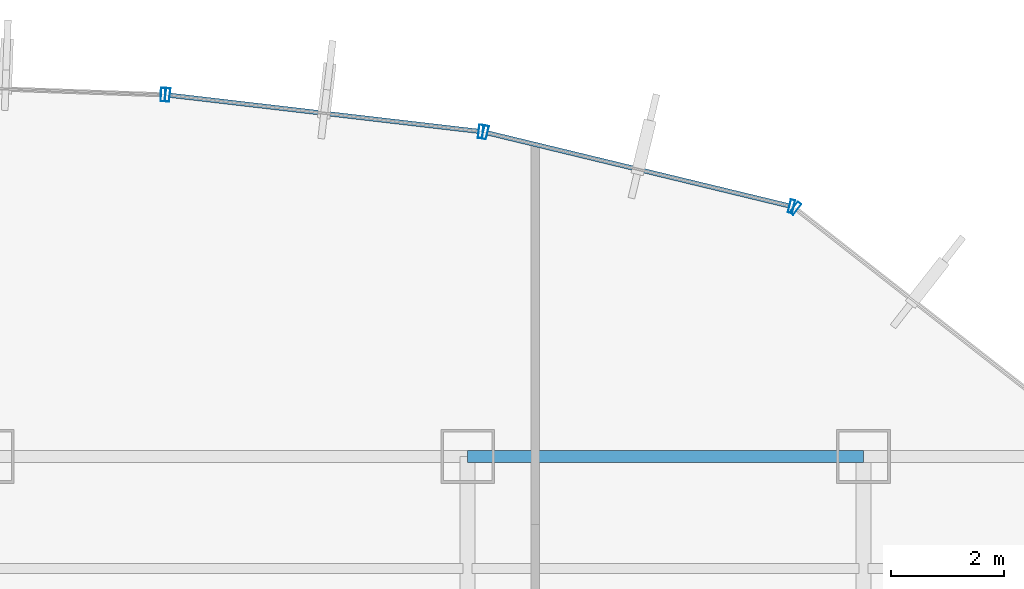
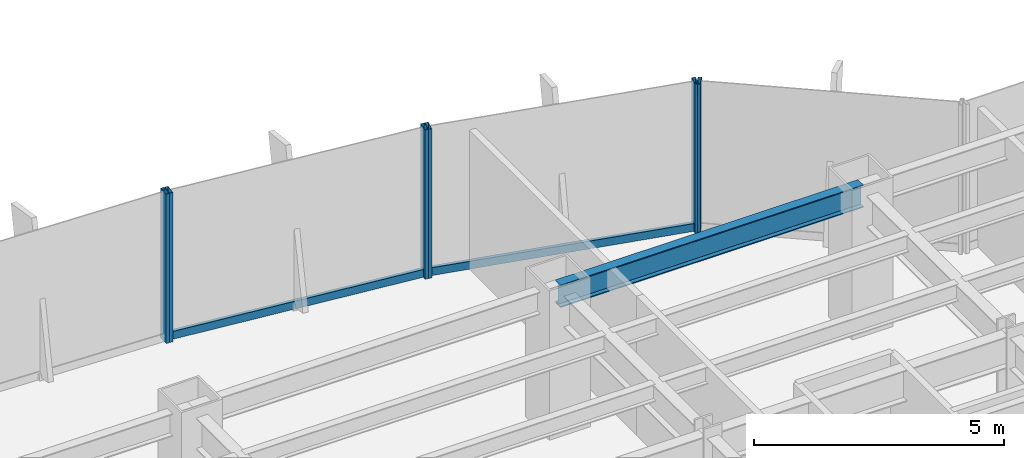
# One storey, part 14 of 22: 8 members, 1 beam, 4 elements without a shape of their own.
"""IFC4 building model written with IfcOpenShell, lengths in metres."""

from ifc_helpers import new_model, si_unit, derived_unit, direction, frame, origin, origin_2d, place, context, subcontext, project, spatial, hollow_rectangle, i_section, extrude, source, transform, mapped, material, material_profile, profile_set, type_object, element, aggregate, save


model = new_model("IFC4")

# Units and contexts
model_context = context("Model", 3, precision=1e-05, world=origin(), true_north=direction((0.0, 1.0)))
body_context = subcontext(model_context, "Body", "Model", "MODEL_VIEW")
ifc_project = project(units=[si_unit("LENGTHUNIT", "METRE"), si_unit("AREAUNIT", "SQUARE_METRE"), si_unit("VOLUMEUNIT", "CUBIC_METRE"), si_unit("PLANEANGLEUNIT", "RADIAN"), si_unit("MASSUNIT", "GRAM", prefix="KILO"), derived_unit("THERMALTRANSMITTANCEUNIT", [(si_unit("POWERUNIT", "WATT"), 1), (si_unit("LENGTHUNIT", "METRE"), -2), (si_unit("THERMODYNAMICTEMPERATUREUNIT", "KELVIN"), -1)])], contexts=[model_context])

# Site, building, storey
site_placement = place(None, origin())
site = spatial("IfcSite", under=ifc_project, at=site_placement, CompositionType="ELEMENT")
building_placement = place(site_placement, origin())
building = spatial("IfcBuilding", under=site, at=building_placement, Name="Skarnbrae Concourse Arena and Tower", CompositionType="ELEMENT")
storey_placement = place(building_placement, frame((0.0, 0.0, 76.300048828125)))
storey = spatial("IfcBuildingStorey", under=building, at=storey_placement, Name="L18", CompositionType="ELEMENT", Elevation=76.300048828125)

# Beam
ifc_material_1 = material(Name="Steel CSA G40.21 350W", Category="steel")
ifc_material_profile_1 = material_profile(ifc_material_1, i_section(OverallWidth=0.214111328125, OverallDepth=0.549072265625, WebThickness=0.0146484375, FlangeThickness=0.023681640625, at=origin_2d()), Name="W530X138")
ifc_profile_set_1 = profile_set([ifc_material_profile_1], Name="Steel CSA G40.21 350W")
beam_type = type_object("IfcBeamType", Name="BM-SPAN-W530X138", PredefinedType="SPANDREL", material=ifc_profile_set_1)
shared_shape_1 = source(origin(), body_context, "Body", "SweptSolid", [
    extrude(i_section(OverallWidth=0.214111328125, OverallDepth=0.549072265625, WebThickness=0.0146484375, FlangeThickness=0.023681640625, at=origin_2d()), origin(), (0.0, 0.0, 1.0), 7.0),
])
beam_placement = place(storey_placement, frame((42.0, 40.39990234375, 3.12548828125), z_axis=(1.0, 0.0, 0.0), x_axis=(0.0, 1.0, 0.0)))
element("IfcBeam", 1, at=beam_placement, inside=storey, type_object=beam_type, Name="L18 Perimeter spandrel Y40.4-6", PredefinedType="SPANDREL", context=body_context, shape_type="MappedRepresentation", body=[
    mapped(shared_shape_1, transform((0.0, 0.0, 0.0))),
])

# Curtain wall, member
ifc_material_2 = material(Name="Bronze anodised aluminium 6063-T6", Category="aluminium")
curtain_wall_type = type_object("IfcCurtainWallType", Name="CW-SYS-02-LOWZONE", PredefinedType="USERDEFINED", material=ifc_material_2)
curtain_wall_1_placement = place(storey_placement, origin())
curtain_wall_1 = element("IfcCurtainWall", 2, at=curtain_wall_1_placement, inside=storey, type_object=curtain_wall_type, Name="L18 Unitised curtain wall CW-L18-E08", ObjectType="UNITISED CURTAIN WALL", PredefinedType="USERDEFINED")
ifc_material_profile_2 = material_profile(ifc_material_2, hollow_rectangle(XDim=0.080078125, YDim=0.239990234375, WallThickness=0.0048828125, at=origin_2d()), Name="ALU-MULL-80X240")
ifc_profile_set_2 = profile_set([ifc_material_profile_2], Name="Bronze anodised aluminium 6063-T6")
member_type_1 = type_object("IfcMemberType", Name="CWM-CW-02", PredefinedType="MULLION", material=ifc_profile_set_2)
shared_shape_2 = source(origin(), body_context, "Body", "SweptSolid", [
    extrude(hollow_rectangle(XDim=0.080078125, YDim=0.239990234375, WallThickness=0.0048828125, at=origin_2d()), origin(), (0.0, 0.0, 1.0), 3.64990234375),
])
member_1_placement = place(storey_placement, frame((47.7978515625, 44.787109375, 0.0), z_axis=(0.0, 0.0, 1.0), x_axis=(-0.787651726054, 0.616120733658, 0.0)))
member_1 = element("IfcMember", 3, at=member_1_placement, type_object=member_type_1, Name="CW-L18-E08 Mullion 2", PredefinedType="MULLION", context=body_context, shape_type="MappedRepresentation", body=[
    mapped(shared_shape_2, transform((0.0, 0.0, 0.0))),
])
aggregate(curtain_wall_1, [member_1])

# Curtain wall, members
curtain_wall_2_placement = place(storey_placement, origin())
curtain_wall_2 = element("IfcCurtainWall", 4, at=curtain_wall_2_placement, inside=storey, type_object=curtain_wall_type, Name="L18 Unitised curtain wall CW-L18-E09", ObjectType="UNITISED CURTAIN WALL", PredefinedType="USERDEFINED")
member_2_placement = place(storey_placement, frame((47.727294921875, 44.821044921875, 0.0), z_axis=(0.0, 0.0, 1.0), x_axis=(-0.971973721569, 0.235089524607, 0.0)))
member_2 = element("IfcMember", 5, at=member_2_placement, type_object=member_type_1, Name="CW-L18-E09 Mullion 1", PredefinedType="MULLION", context=body_context, shape_type="MappedRepresentation", body=[
    mapped(shared_shape_2, transform((0.0, 0.0, 0.0))),
])
member_3_placement = place(storey_placement, frame((42.311279296875, 46.131103515625, 0.0), z_axis=(0.0, 0.0, 1.0), x_axis=(-0.971973721569, 0.235089524607, 0.0)))
member_3 = element("IfcMember", 6, at=member_3_placement, type_object=member_type_1, Name="CW-L18-E09 Mullion 2", PredefinedType="MULLION", context=body_context, shape_type="MappedRepresentation", body=[
    mapped(shared_shape_2, transform((0.0, 0.0, 0.0))),
])

curtain_wall_3_placement = place(storey_placement, origin())
curtain_wall_3 = element("IfcCurtainWall", 7, at=curtain_wall_3_placement, inside=storey, type_object=curtain_wall_type, Name="L18 Unitised curtain wall CW-L18-E10", ObjectType="UNITISED CURTAIN WALL", PredefinedType="USERDEFINED")
member_4_placement = place(storey_placement, frame((42.232666015625, 46.14501953125, 0.0), z_axis=(0.0, 0.0, 1.0), x_axis=(-0.99324457001, 0.116039752435, 0.0)))
member_4 = element("IfcMember", 8, at=member_4_placement, type_object=member_type_1, Name="CW-L18-E10 Mullion 1", PredefinedType="MULLION", context=body_context, shape_type="MappedRepresentation", body=[
    mapped(shared_shape_2, transform((0.0, 0.0, 0.0))),
])
member_5_placement = place(storey_placement, frame((36.693603515625, 46.792236328125, 0.0), z_axis=(0.0, 0.0, 1.0), x_axis=(-0.99324457001, 0.116039752435, 0.0)))
member_5 = element("IfcMember", 9, at=member_5_placement, type_object=member_type_1, Name="CW-L18-E10 Mullion 2", PredefinedType="MULLION", context=body_context, shape_type="MappedRepresentation", body=[
    mapped(shared_shape_2, transform((0.0, 0.0, 0.0))),
])

# Curtain wall, member
curtain_wall_4_placement = place(storey_placement, origin())
curtain_wall_4 = element("IfcCurtainWall", 10, at=curtain_wall_4_placement, inside=storey, type_object=curtain_wall_type, Name="L18 Unitised curtain wall CW-L18-E11", ObjectType="UNITISED CURTAIN WALL", PredefinedType="USERDEFINED")
member_6_placement = place(storey_placement, frame((36.614013671875, 46.79833984375, 0.0), z_axis=(0.0, 0.0, 1.0), x_axis=(-0.999355425188, 0.035898943527, 0.0)))
member_6 = element("IfcMember", 11, at=member_6_placement, type_object=member_type_1, Name="CW-L18-E11 Mullion 1", PredefinedType="MULLION", context=body_context, shape_type="MappedRepresentation", body=[
    mapped(shared_shape_2, transform((0.0, 0.0, 0.0))),
])
aggregate(curtain_wall_4, [member_6])

# Member
ifc_material_profile_3 = material_profile(ifc_material_2, hollow_rectangle(XDim=0.080078125, YDim=0.18994140625, WallThickness=0.0048828125, at=origin_2d()), Name="ALU-TRAN-80X190")
ifc_profile_set_3 = profile_set([ifc_material_profile_3], Name="Bronze anodised aluminium 6063-T6")
member_type_2 = type_object("IfcMemberType", Name="CWT-CW-02", PredefinedType="USERDEFINED", material=ifc_profile_set_3)
shared_shape_3 = source(origin(), body_context, "Body", "SweptSolid", [
    extrude(hollow_rectangle(XDim=0.080078125, YDim=0.18994140625, WallThickness=0.0048828125, at=origin_2d()), origin(), (0.0, 0.0, 1.0), 5.4921875),
])
member_7_placement = place(storey_placement, frame((47.6884765625, 44.83056640625, 0.094970703125), z_axis=(-0.971980728004, 0.235060554728, 0.0), x_axis=(-0.235060554728, -0.971980728004, 0.0)))
member_7 = element("IfcMember", 12, at=member_7_placement, type_object=member_type_2, Name="CW-L18-E09 Transom 1", ObjectType="TRANSOM", PredefinedType="USERDEFINED", context=body_context, shape_type="MappedRepresentation", body=[
    mapped(shared_shape_3, transform((0.0, 0.0, 0.0))),
])

aggregate(curtain_wall_2, [member_2, member_3, member_7])

shared_shape_4 = source(origin(), body_context, "Body", "SweptSolid", [
    extrude(hollow_rectangle(XDim=0.080078125, YDim=0.18994140625, WallThickness=0.0048828125, at=origin_2d()), origin(), (0.0, 0.0, 1.0), 5.49658203125),
])
member_8_placement = place(storey_placement, frame((42.19287109375, 46.14990234375, 0.094970703125), z_axis=(-0.993247281455, 0.116016541417, 0.0), x_axis=(-0.116016541417, -0.993247281455, 0.0)))
member_8 = element("IfcMember", 13, at=member_8_placement, type_object=member_type_2, Name="CW-L18-E10 Transom 1", ObjectType="TRANSOM", PredefinedType="USERDEFINED", context=body_context, shape_type="MappedRepresentation", body=[
    mapped(shared_shape_4, transform((0.0, 0.0, 0.0))),
])

aggregate(curtain_wall_3, [member_4, member_5, member_8])

save(model, "model.ifc")
